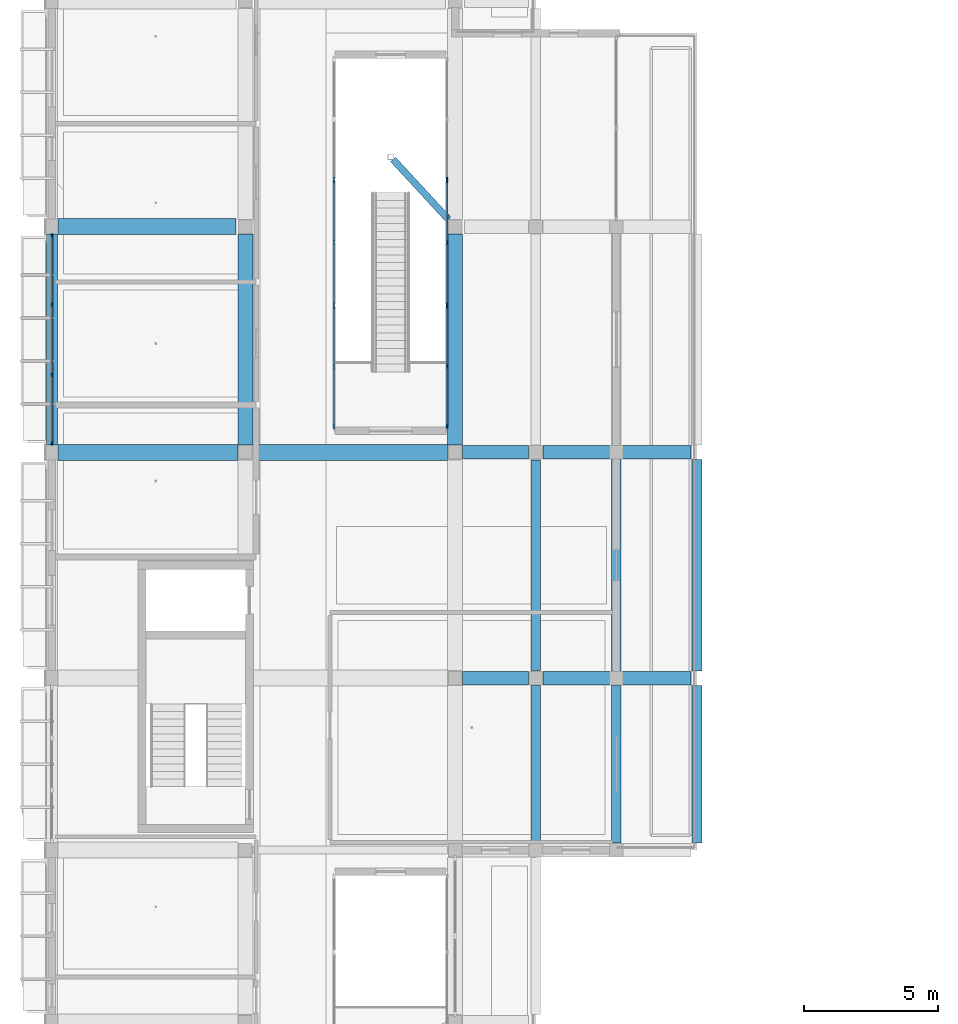
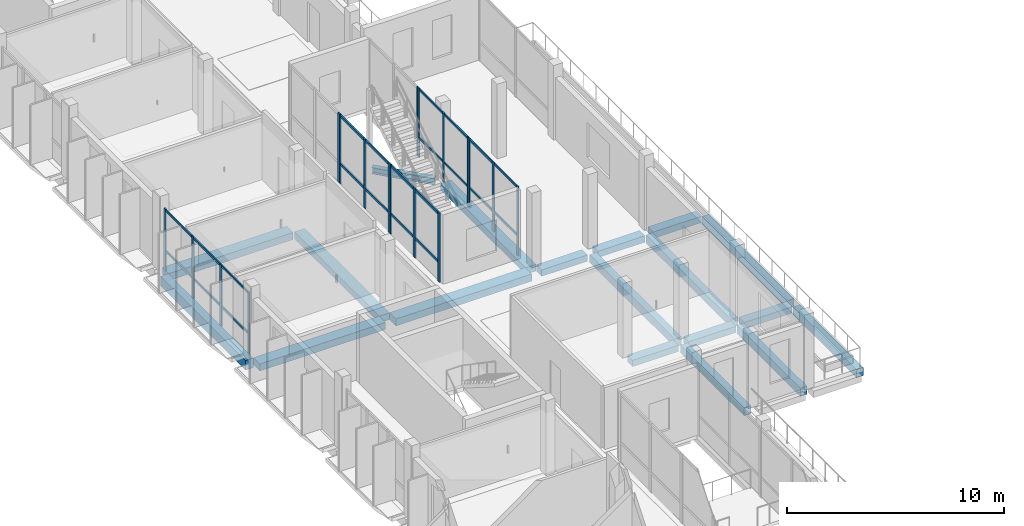
# One storey, part 10 of 85: 28 members, 19 beams, 7 elements without a shape of their own.
"""IFC4 building model written with IfcOpenShell, lengths in metres."""

from ifc_helpers import new_model, si_unit, derived_unit, direction, frame, origin, origin_2d, place, context, subcontext, project, spatial, rectangle, i_section, extrude, material, material_profile, profile_set, type_object, element, aggregate, save


model = new_model("IFC4")

# Units and contexts
model_context = context("Model", 3, precision=1e-05, world=origin(), true_north=direction((0.0, 1.0)))
body_context = subcontext(model_context, "Body", "Model", "MODEL_VIEW")
ifc_project = project(units=[si_unit("LENGTHUNIT", "METRE"), si_unit("AREAUNIT", "SQUARE_METRE"), si_unit("VOLUMEUNIT", "CUBIC_METRE"), si_unit("PLANEANGLEUNIT", "RADIAN"), si_unit("MASSUNIT", "GRAM", prefix="KILO"), derived_unit("THERMALTRANSMITTANCEUNIT", [(si_unit("POWERUNIT", "WATT"), 1), (si_unit("LENGTHUNIT", "METRE"), -2), (si_unit("THERMODYNAMICTEMPERATUREUNIT", "KELVIN"), -1)])], contexts=[model_context])

# Site, building, storey
site_placement = place(None, origin())
site = spatial("IfcSite", under=ifc_project, at=site_placement, CompositionType="ELEMENT")
building_placement = place(site_placement, origin())
building = spatial("IfcBuilding", under=site, at=building_placement, Name="Braskholm Square Health Centre", CompositionType="ELEMENT")
storey_placement = place(building_placement, frame((0.0, 0.0, 9.300048828125)))
storey = spatial("IfcBuildingStorey", under=building, at=storey_placement, Name="L03", CompositionType="ELEMENT", Elevation=9.300048828125)

# Curtain wall, members
ifc_material_1 = material(Name="Low-E triple insulating glass (VLT 0.64)", Category="glass")
curtain_wall_type_1 = type_object("IfcCurtainWallType", Name="UnitisedCurtainWall6200x3650", PredefinedType="NOTDEFINED", material=ifc_material_1)
curtain_wall_1_placement = place(storey_placement, origin())
curtain_wall_1 = element("IfcCurtainWall", 1, at=curtain_wall_1_placement, inside=storey, type_object=curtain_wall_type_1, Name="West Outer unitised curtain wall CW-L03-0018", PredefinedType="NOTDEFINED")
ifc_material_2 = material(Name="Architectural bronze anodised aluminium", Category="aluminium")
ifc_material_profile_1 = material_profile(ifc_material_2, rectangle(XDim=0.06494140625, YDim=0.14990234375, at=origin_2d()), Name="ALU-65X150")
ifc_profile_set_1 = profile_set([ifc_material_profile_1], Name="Architectural bronze anodised aluminium")
member_type_1 = type_object("IfcMemberType", Name="CurtainWallMullion65x150", PredefinedType="MULLION", material=ifc_profile_set_1)
member_1_placement = place(storey_placement, frame((4.199951171875, 71.863037109375, 0.0), z_axis=(0.0, 0.0, 1.0), x_axis=(1.0, 0.0, 0.0)))
member_1 = element("IfcMember", 2, at=member_1_placement, type_object=member_type_1, Name="CW-L03-0018 vertical mullion 1", PredefinedType="MULLION", context=body_context, shape_type="SweptSolid", body=[
    extrude(rectangle(XDim=0.06494140625, YDim=0.14990234375, at=origin_2d()), origin(), (0.0, 0.0, 1.0), 3.47998046875),
])
member_2_placement = place(storey_placement, frame((4.199951171875, 69.30322265625, 0.0), z_axis=(0.0, 0.0, 1.0), x_axis=(1.0, 0.0, 0.0)))
member_2 = element("IfcMember", 3, at=member_2_placement, type_object=member_type_1, Name="CW-L03-0018 vertical mullion 2", PredefinedType="MULLION", context=body_context, shape_type="SweptSolid", body=[
    extrude(rectangle(XDim=0.06494140625, YDim=0.14990234375, at=origin_2d()), origin(), (0.0, 0.0, 1.0), 3.47998046875),
])
member_3_placement = place(storey_placement, frame((4.199951171875, 66.69677734375, 0.0), z_axis=(0.0, 0.0, 1.0), x_axis=(1.0, 0.0, 0.0)))
member_3 = element("IfcMember", 4, at=member_3_placement, type_object=member_type_1, Name="CW-L03-0018 vertical mullion 3", PredefinedType="MULLION", context=body_context, shape_type="SweptSolid", body=[
    extrude(rectangle(XDim=0.06494140625, YDim=0.14990234375, at=origin_2d()), origin(), (0.0, 0.0, 1.0), 3.47998046875),
])
member_4_placement = place(storey_placement, frame((4.199951171875, 64.136962890625, 0.0), z_axis=(0.0, 0.0, 1.0), x_axis=(1.0, 0.0, 0.0)))
member_4 = element("IfcMember", 5, at=member_4_placement, type_object=member_type_1, Name="CW-L03-0018 vertical mullion 4", PredefinedType="MULLION", context=body_context, shape_type="SweptSolid", body=[
    extrude(rectangle(XDim=0.06494140625, YDim=0.14990234375, at=origin_2d()), origin(), (0.0, 0.0, 1.0), 3.47998046875),
])

curtain_wall_type_2 = type_object("IfcCurtainWallType", Name="UnitisedCurtainWall4800x3800", PredefinedType="NOTDEFINED", material=ifc_material_1)
curtain_wall_2_placement = place(storey_placement, origin())
curtain_wall_2 = element("IfcCurtainWall", 6, at=curtain_wall_2_placement, inside=storey, type_object=curtain_wall_type_2, Name="WC2 Court E unitised curtain wall CW-L03-0298", PredefinedType="NOTDEFINED")
member_5_placement = place(storey_placement, frame((18.89990234375, 69.23486328125, 0.0), z_axis=(0.0, 0.0, 1.0), x_axis=(1.0, 0.0, 0.0)))
member_5 = element("IfcMember", 7, at=member_5_placement, type_object=member_type_1, Name="CW-L03-0298 vertical mullion 1", PredefinedType="MULLION", context=body_context, shape_type="SweptSolid", body=[
    extrude(rectangle(XDim=0.06494140625, YDim=0.14990234375, at=origin_2d()), origin(), (0.0, 0.0, 1.0), 3.89990234375),
])
member_6_placement = place(storey_placement, frame((18.89990234375, 67.0009765625, 0.0), z_axis=(0.0, 0.0, 1.0), x_axis=(1.0, 0.0, 0.0)))
member_6 = element("IfcMember", 8, at=member_6_placement, type_object=member_type_1, Name="CW-L03-0298 vertical mullion 2", PredefinedType="MULLION", context=body_context, shape_type="SweptSolid", body=[
    extrude(rectangle(XDim=0.06494140625, YDim=0.14990234375, at=origin_2d()), origin(), (0.0, 0.0, 1.0), 3.89990234375),
])
member_7_placement = place(storey_placement, frame((18.89990234375, 64.76708984375, 0.0), z_axis=(0.0, 0.0, 1.0), x_axis=(1.0, 0.0, 0.0)))
member_7 = element("IfcMember", 9, at=member_7_placement, type_object=member_type_1, Name="CW-L03-0298 vertical mullion 3", PredefinedType="MULLION", context=body_context, shape_type="SweptSolid", body=[
    extrude(rectangle(XDim=0.06494140625, YDim=0.14990234375, at=origin_2d()), origin(), (0.0, 0.0, 1.0), 3.89990234375),
])

curtain_wall_3_placement = place(storey_placement, origin())
curtain_wall_3 = element("IfcCurtainWall", 10, at=curtain_wall_3_placement, inside=storey, type_object=curtain_wall_type_2, Name="WC2 Court E unitised curtain wall CW-L03-0300", PredefinedType="NOTDEFINED")
member_8_placement = place(storey_placement, frame((18.89990234375, 73.900146484375, 0.0), z_axis=(0.0, 0.0, 1.0), x_axis=(1.0, 0.0, 0.0)))
member_8 = element("IfcMember", 11, at=member_8_placement, type_object=member_type_1, Name="CW-L03-0300 vertical mullion 1", PredefinedType="MULLION", context=body_context, shape_type="SweptSolid", body=[
    extrude(rectangle(XDim=0.06494140625, YDim=0.14990234375, at=origin_2d()), origin(), (0.0, 0.0, 1.0), 3.89990234375),
])
member_9_placement = place(storey_placement, frame((18.89990234375, 71.60009765625, 0.0), z_axis=(0.0, 0.0, 1.0), x_axis=(1.0, 0.0, 0.0)))
member_9 = element("IfcMember", 12, at=member_9_placement, type_object=member_type_1, Name="CW-L03-0300 vertical mullion 2", PredefinedType="MULLION", context=body_context, shape_type="SweptSolid", body=[
    extrude(rectangle(XDim=0.06494140625, YDim=0.14990234375, at=origin_2d()), origin(), (0.0, 0.0, 1.0), 3.89990234375),
])
member_10_placement = place(storey_placement, frame((18.89990234375, 69.2998046875, 0.0), z_axis=(0.0, 0.0, 1.0), x_axis=(1.0, 0.0, 0.0)))
member_10 = element("IfcMember", 13, at=member_10_placement, type_object=member_type_1, Name="CW-L03-0300 vertical mullion 3", PredefinedType="MULLION", context=body_context, shape_type="SweptSolid", body=[
    extrude(rectangle(XDim=0.06494140625, YDim=0.14990234375, at=origin_2d()), origin(), (0.0, 0.0, 1.0), 3.89990234375),
])

# Curtain wall, member
curtain_wall_4_placement = place(storey_placement, origin())
curtain_wall_4 = element("IfcCurtainWall", 14, at=curtain_wall_4_placement, inside=storey, type_object=curtain_wall_type_2, Name="WC2 Court E unitised curtain wall CW-L03-0302", PredefinedType="NOTDEFINED")
member_11_placement = place(storey_placement, frame((18.89990234375, 73.965087890625, 0.0), z_axis=(0.0, 0.0, 1.0), x_axis=(1.0, 0.0, 0.0)))
member_11 = element("IfcMember", 15, at=member_11_placement, type_object=member_type_1, Name="CW-L03-0302 vertical mullion 3", PredefinedType="MULLION", context=body_context, shape_type="SweptSolid", body=[
    extrude(rectangle(XDim=0.06494140625, YDim=0.14990234375, at=origin_2d()), origin(), (0.0, 0.0, 1.0), 3.89990234375),
])
aggregate(curtain_wall_4, [member_11])

# Curtain wall, members
curtain_wall_5_placement = place(storey_placement, origin())
curtain_wall_5 = element("IfcCurtainWall", 16, at=curtain_wall_5_placement, inside=storey, type_object=curtain_wall_type_2, Name="WC2 Court W unitised curtain wall CW-L03-0297", PredefinedType="NOTDEFINED")
ifc_material_profile_2 = material_profile(ifc_material_2, rectangle(XDim=0.074951171875, YDim=0.179931640625, at=origin_2d()), Name="ALU-75X180")
ifc_profile_set_2 = profile_set([ifc_material_profile_2], Name="Architectural bronze anodised aluminium")
member_type_2 = type_object("IfcMemberType", Name="CurtainWallMullion75x180", PredefinedType="MULLION", material=ifc_profile_set_2)
member_12_placement = place(storey_placement, frame((14.699951171875, 64.76708984375, 0.0), z_axis=(0.0, 0.0, 1.0), x_axis=(1.0, 0.0, 0.0)))
member_12 = element("IfcMember", 17, at=member_12_placement, type_object=member_type_2, Name="CW-L03-0297 vertical mullion 1", PredefinedType="MULLION", context=body_context, shape_type="SweptSolid", body=[
    extrude(rectangle(XDim=0.074951171875, YDim=0.179931640625, at=origin_2d()), origin(), (0.0, 0.0, 1.0), 3.89990234375),
])
member_13_placement = place(storey_placement, frame((14.699951171875, 67.0009765625, 0.0), z_axis=(0.0, 0.0, 1.0), x_axis=(1.0, 0.0, 0.0)))
member_13 = element("IfcMember", 18, at=member_13_placement, type_object=member_type_2, Name="CW-L03-0297 vertical mullion 2", PredefinedType="MULLION", context=body_context, shape_type="SweptSolid", body=[
    extrude(rectangle(XDim=0.074951171875, YDim=0.179931640625, at=origin_2d()), origin(), (0.0, 0.0, 1.0), 3.89990234375),
])
member_14_placement = place(storey_placement, frame((14.699951171875, 69.23486328125, 0.0), z_axis=(0.0, 0.0, 1.0), x_axis=(1.0, 0.0, 0.0)))
member_14 = element("IfcMember", 19, at=member_14_placement, type_object=member_type_2, Name="CW-L03-0297 vertical mullion 3", PredefinedType="MULLION", context=body_context, shape_type="SweptSolid", body=[
    extrude(rectangle(XDim=0.074951171875, YDim=0.179931640625, at=origin_2d()), origin(), (0.0, 0.0, 1.0), 3.89990234375),
])

curtain_wall_6_placement = place(storey_placement, origin())
curtain_wall_6 = element("IfcCurtainWall", 20, at=curtain_wall_6_placement, inside=storey, type_object=curtain_wall_type_2, Name="WC2 Court W unitised curtain wall CW-L03-0299", PredefinedType="NOTDEFINED")
member_15_placement = place(storey_placement, frame((14.699951171875, 69.2998046875, 0.0), z_axis=(0.0, 0.0, 1.0), x_axis=(1.0, 0.0, 0.0)))
member_15 = element("IfcMember", 21, at=member_15_placement, type_object=member_type_2, Name="CW-L03-0299 vertical mullion 1", PredefinedType="MULLION", context=body_context, shape_type="SweptSolid", body=[
    extrude(rectangle(XDim=0.074951171875, YDim=0.179931640625, at=origin_2d()), origin(), (0.0, 0.0, 1.0), 3.89990234375),
])
member_16_placement = place(storey_placement, frame((14.699951171875, 71.60009765625, 0.0), z_axis=(0.0, 0.0, 1.0), x_axis=(1.0, 0.0, 0.0)))
member_16 = element("IfcMember", 22, at=member_16_placement, type_object=member_type_2, Name="CW-L03-0299 vertical mullion 2", PredefinedType="MULLION", context=body_context, shape_type="SweptSolid", body=[
    extrude(rectangle(XDim=0.074951171875, YDim=0.179931640625, at=origin_2d()), origin(), (0.0, 0.0, 1.0), 3.89990234375),
])
member_17_placement = place(storey_placement, frame((14.699951171875, 73.900146484375, 0.0), z_axis=(0.0, 0.0, 1.0), x_axis=(1.0, 0.0, 0.0)))
member_17 = element("IfcMember", 23, at=member_17_placement, type_object=member_type_2, Name="CW-L03-0299 vertical mullion 3", PredefinedType="MULLION", context=body_context, shape_type="SweptSolid", body=[
    extrude(rectangle(XDim=0.074951171875, YDim=0.179931640625, at=origin_2d()), origin(), (0.0, 0.0, 1.0), 3.89990234375),
])

# Curtain wall, member
curtain_wall_7_placement = place(storey_placement, origin())
curtain_wall_7 = element("IfcCurtainWall", 24, at=curtain_wall_7_placement, inside=storey, type_object=curtain_wall_type_2, Name="WC2 Court W unitised curtain wall CW-L03-0301", PredefinedType="NOTDEFINED")
member_18_placement = place(storey_placement, frame((14.699951171875, 73.965087890625, 0.0), z_axis=(0.0, 0.0, 1.0), x_axis=(1.0, 0.0, 0.0)))
member_18 = element("IfcMember", 25, at=member_18_placement, type_object=member_type_2, Name="CW-L03-0301 vertical mullion 1", PredefinedType="MULLION", context=body_context, shape_type="SweptSolid", body=[
    extrude(rectangle(XDim=0.074951171875, YDim=0.179931640625, at=origin_2d()), origin(), (0.0, 0.0, 1.0), 3.89990234375),
])
aggregate(curtain_wall_7, [member_18])

# Member
ifc_material_profile_3 = material_profile(ifc_material_2, rectangle(XDim=0.06494140625, YDim=0.1201171875, at=origin_2d()), Name="ALU-65X120")
ifc_profile_set_3 = profile_set([ifc_material_profile_3], Name="Architectural bronze anodised aluminium")
member_type_3 = type_object("IfcMemberType", Name="CurtainWallTransom65x120", PredefinedType="USERDEFINED", material=ifc_profile_set_3)
member_19_placement = place(storey_placement, frame((4.199951171875, 71.864990234375, 1.119873046875), z_axis=(0.0, -1.0, 0.0), x_axis=(1.0, 0.0, 0.0)))
member_19 = element("IfcMember", 26, at=member_19_placement, type_object=member_type_3, Name="CW-L03-0018 horizontal transom 1", ObjectType="TRANSOM", PredefinedType="USERDEFINED", context=body_context, shape_type="SweptSolid", body=[
    extrude(rectangle(XDim=0.06494140625, YDim=0.1201171875, at=origin_2d()), origin(), (0.0, 0.0, 1.0), 7.72998046875),
])

member_20_placement = place(storey_placement, frame((4.199951171875, 71.864990234375, 3.409912109375), z_axis=(0.0, -1.0, 0.0), x_axis=(1.0, 0.0, 0.0)))
member_20 = element("IfcMember", 27, at=member_20_placement, type_object=member_type_3, Name="CW-L03-0018 horizontal transom 2", ObjectType="TRANSOM", PredefinedType="USERDEFINED", context=body_context, shape_type="SweptSolid", body=[
    extrude(rectangle(XDim=0.06494140625, YDim=0.1201171875, at=origin_2d()), origin(), (0.0, 0.0, 1.0), 7.72998046875),
])

aggregate(curtain_wall_1, [member_1, member_2, member_3, member_4, member_19, member_20])

member_21_placement = place(storey_placement, frame((18.89990234375, 69.217041015625, 1.119873046875), z_axis=(0.0, -1.0, 0.0), x_axis=(1.0, 0.0, 0.0)))
member_21 = element("IfcMember", 28, at=member_21_placement, type_object=member_type_3, Name="CW-L03-0298 horizontal transom 1", ObjectType="TRANSOM", PredefinedType="USERDEFINED", context=body_context, shape_type="SweptSolid", body=[
    extrude(rectangle(XDim=0.06494140625, YDim=0.1201171875, at=origin_2d()), origin(), (0.0, 0.0, 1.0), 4.43212890625),
])

member_22_placement = place(storey_placement, frame((18.89990234375, 69.217041015625, 3.829833984375), z_axis=(0.0, -1.0, 0.0), x_axis=(1.0, 0.0, 0.0)))
member_22 = element("IfcMember", 29, at=member_22_placement, type_object=member_type_3, Name="CW-L03-0298 horizontal transom 2", ObjectType="TRANSOM", PredefinedType="USERDEFINED", context=body_context, shape_type="SweptSolid", body=[
    extrude(rectangle(XDim=0.06494140625, YDim=0.1201171875, at=origin_2d()), origin(), (0.0, 0.0, 1.0), 4.43212890625),
])

aggregate(curtain_wall_2, [member_5, member_6, member_7, member_21, member_22])

member_23_placement = place(storey_placement, frame((18.89990234375, 73.883056640625, 1.119873046875), z_axis=(0.0, -1.0, 0.0), x_axis=(1.0, 0.0, 0.0)))
member_23 = element("IfcMember", 30, at=member_23_placement, type_object=member_type_3, Name="CW-L03-0300 horizontal transom 1", ObjectType="TRANSOM", PredefinedType="USERDEFINED", context=body_context, shape_type="SweptSolid", body=[
    extrude(rectangle(XDim=0.06494140625, YDim=0.1201171875, at=origin_2d()), origin(), (0.0, 0.0, 1.0), 4.566162109375),
])

member_24_placement = place(storey_placement, frame((18.89990234375, 73.883056640625, 3.829833984375), z_axis=(0.0, -1.0, 0.0), x_axis=(1.0, 0.0, 0.0)))
member_24 = element("IfcMember", 31, at=member_24_placement, type_object=member_type_3, Name="CW-L03-0300 horizontal transom 2", ObjectType="TRANSOM", PredefinedType="USERDEFINED", context=body_context, shape_type="SweptSolid", body=[
    extrude(rectangle(XDim=0.06494140625, YDim=0.1201171875, at=origin_2d()), origin(), (0.0, 0.0, 1.0), 4.566162109375),
])

aggregate(curtain_wall_3, [member_8, member_9, member_10, member_23, member_24])

ifc_material_profile_4 = material_profile(ifc_material_2, rectangle(XDim=0.074951171875, YDim=0.139892578125, at=origin_2d()), Name="ALU-75X140")
ifc_profile_set_4 = profile_set([ifc_material_profile_4], Name="Architectural bronze anodised aluminium")
member_type_4 = type_object("IfcMemberType", Name="CurtainWallTransom75x140", PredefinedType="USERDEFINED", material=ifc_profile_set_4)
member_25_placement = place(storey_placement, frame((14.699951171875, 64.784912109375, 1.119873046875), z_axis=(0.0, 1.0, 0.0), x_axis=(-1.0, 0.0, 0.0)))
member_25 = element("IfcMember", 32, at=member_25_placement, type_object=member_type_4, Name="CW-L03-0297 horizontal transom 1", ObjectType="TRANSOM", PredefinedType="USERDEFINED", context=body_context, shape_type="SweptSolid", body=[
    extrude(rectangle(XDim=0.074951171875, YDim=0.139892578125, at=origin_2d()), origin(), (0.0, 0.0, 1.0), 4.43212890625),
])

member_26_placement = place(storey_placement, frame((14.699951171875, 64.784912109375, 3.829833984375), z_axis=(0.0, 1.0, 0.0), x_axis=(-1.0, 0.0, 0.0)))
member_26 = element("IfcMember", 33, at=member_26_placement, type_object=member_type_4, Name="CW-L03-0297 horizontal transom 2", ObjectType="TRANSOM", PredefinedType="USERDEFINED", context=body_context, shape_type="SweptSolid", body=[
    extrude(rectangle(XDim=0.074951171875, YDim=0.139892578125, at=origin_2d()), origin(), (0.0, 0.0, 1.0), 4.43212890625),
])

aggregate(curtain_wall_5, [member_12, member_13, member_14, member_25, member_26])

member_27_placement = place(storey_placement, frame((14.699951171875, 69.31689453125, 1.119873046875), z_axis=(0.0, 1.0, 0.0), x_axis=(-1.0, 0.0, 0.0)))
member_27 = element("IfcMember", 34, at=member_27_placement, type_object=member_type_4, Name="CW-L03-0299 horizontal transom 1", ObjectType="TRANSOM", PredefinedType="USERDEFINED", context=body_context, shape_type="SweptSolid", body=[
    extrude(rectangle(XDim=0.074951171875, YDim=0.139892578125, at=origin_2d()), origin(), (0.0, 0.0, 1.0), 4.566162109375),
])

member_28_placement = place(storey_placement, frame((14.699951171875, 69.31689453125, 3.829833984375), z_axis=(0.0, 1.0, 0.0), x_axis=(-1.0, 0.0, 0.0)))
member_28 = element("IfcMember", 35, at=member_28_placement, type_object=member_type_4, Name="CW-L03-0299 horizontal transom 2", ObjectType="TRANSOM", PredefinedType="USERDEFINED", context=body_context, shape_type="SweptSolid", body=[
    extrude(rectangle(XDim=0.074951171875, YDim=0.139892578125, at=origin_2d()), origin(), (0.0, 0.0, 1.0), 4.566162109375),
])

aggregate(curtain_wall_6, [member_15, member_16, member_17, member_27, member_28])

# Beams
ifc_material_3 = material(Name="Concrete C35/45 (f'c = 35 MPa)", Category="concrete")
ifc_material_profile_5 = material_profile(ifc_material_3, rectangle(XDim=0.5, YDim=0.360107421875, at=origin_2d()), Name="RCB-500X360")
ifc_profile_set_5 = profile_set([ifc_material_profile_5], Name="Concrete C35/45 (f'c = 35 MPa)")
beam_type_1 = type_object("IfcBeamType", Name="PrimaryBandBeam500x360", PredefinedType="BEAM", material=ifc_profile_set_5)
beam_1_placement = place(storey_placement, frame((19.47509765625, 55.39990234375, -0.47998046875), z_axis=(1.0, 0.0, 0.0), x_axis=(0.0, 1.0, 0.0)))
element("IfcBeam", 36, at=beam_1_placement, inside=storey, type_object=beam_type_1, Name="Beam 3-4/J L03", PredefinedType="BEAM", context=body_context, shape_type="SweptSolid", body=[
    extrude(rectangle(XDim=0.5, YDim=0.360107421875, at=origin_2d()), origin(), (0.0, 0.0, 1.0), 2.449951171875),
])
beam_2_placement = place(storey_placement, frame((22.47509765625, 55.39990234375, -0.47998046875), z_axis=(1.0, 0.0, 0.0), x_axis=(0.0, 1.0, 0.0)))
element("IfcBeam", 37, at=beam_2_placement, inside=storey, type_object=beam_type_1, Name="Beam 4-5/J L03", PredefinedType="BEAM", context=body_context, shape_type="SweptSolid", body=[
    extrude(rectangle(XDim=0.5, YDim=0.360107421875, at=origin_2d()), origin(), (0.0, 0.0, 1.0), 2.5048828125),
])
beam_3_placement = place(storey_placement, frame((25.419921875, 55.39990234375, -0.429931640625), z_axis=(1.0, 0.0, 0.0), x_axis=(0.0, 1.0, 0.0)))
element("IfcBeam", 38, at=beam_3_placement, inside=storey, type_object=beam_type_1, Name="Beam 5-6/J L03", PredefinedType="BEAM", context=body_context, shape_type="SweptSolid", body=[
    extrude(rectangle(XDim=0.5, YDim=0.360107421875, at=origin_2d()), origin(), (0.0, 0.0, 1.0), 2.56005859375),
])
beam_4_placement = place(storey_placement, frame((19.47509765625, 63.800048828125, -0.47998046875), z_axis=(1.0, 0.0, 0.0), x_axis=(0.0, 1.0, 0.0)))
element("IfcBeam", 39, at=beam_4_placement, inside=storey, type_object=beam_type_1, Name="Beam 3-4/K L03", PredefinedType="BEAM", context=body_context, shape_type="SweptSolid", body=[
    extrude(rectangle(XDim=0.5, YDim=0.360107421875, at=origin_2d()), origin(), (0.0, 0.0, 1.0), 2.449951171875),
])
beam_5_placement = place(storey_placement, frame((22.47509765625, 63.800048828125, -0.47998046875), z_axis=(1.0, 0.0, 0.0), x_axis=(0.0, 1.0, 0.0)))
element("IfcBeam", 40, at=beam_5_placement, inside=storey, type_object=beam_type_1, Name="Beam 4-5/K L03", PredefinedType="BEAM", context=body_context, shape_type="SweptSolid", body=[
    extrude(rectangle(XDim=0.5, YDim=0.360107421875, at=origin_2d()), origin(), (0.0, 0.0, 1.0), 2.5048828125),
])
beam_6_placement = place(storey_placement, frame((25.419921875, 63.800048828125, -0.429931640625), z_axis=(1.0, 0.0, 0.0), x_axis=(0.0, 1.0, 0.0)))
element("IfcBeam", 41, at=beam_6_placement, inside=storey, type_object=beam_type_1, Name="Beam 5-6/K L03", PredefinedType="BEAM", context=body_context, shape_type="SweptSolid", body=[
    extrude(rectangle(XDim=0.5, YDim=0.360107421875, at=origin_2d()), origin(), (0.0, 0.0, 1.0), 2.56005859375),
])
ifc_material_profile_6 = material_profile(ifc_material_3, rectangle(XDim=0.550048828125, YDim=0.3798828125, at=origin_2d()), Name="RCB-550X380")
ifc_profile_set_6 = profile_set([ifc_material_profile_6], Name="Concrete C35/45 (f'c = 35 MPa)")
beam_type_2 = type_object("IfcBeamType", Name="PrimaryBandBeam550x380", PredefinedType="BEAM", material=ifc_profile_set_6)
for number, where, z_axis, x_axis, name in (
    (42, (11.39990234375, 64.074951171875, -0.489990234375), (0.0, 1.0, 0.0), (-1.0, 0.0, 0.0), "Beam 2/K-L L03"),
    (43, (19.199951171875, 64.074951171875, -0.489990234375), (0.0, 1.0, 0.0), (-1.0, 0.0, 0.0), "Beam 3/K-L L03"),
):
    element("IfcBeam", number, at=place(storey_placement, frame(where, z_axis=z_axis, x_axis=x_axis)), inside=storey, type_object=beam_type_2, Name=name, PredefinedType="BEAM", context=body_context, shape_type="SweptSolid", body=[
        extrude(rectangle(XDim=0.550048828125, YDim=0.3798828125, at=origin_2d()), origin(), (0.0, 0.0, 1.0), 7.85009765625),
    ])
ifc_material_profile_7 = material_profile(ifc_material_3, rectangle(XDim=0.60009765625, YDim=0.39990234375, at=origin_2d()), Name="RCB-600X400")
ifc_profile_set_7 = profile_set([ifc_material_profile_7], Name="Concrete C35/45 (f'c = 35 MPa)")
beam_type_3 = type_object("IfcBeamType", Name="PrimaryBandBeam600x400", PredefinedType="BEAM", material=ifc_profile_set_7)
beam_7_placement = place(storey_placement, frame((4.429931640625, 63.800048828125, -0.5), z_axis=(1.0, 0.0, 0.0), x_axis=(0.0, 1.0, 0.0)))
element("IfcBeam", 44, at=beam_7_placement, inside=storey, type_object=beam_type_3, Name="Beam 1-2/K L03", PredefinedType="BEAM", context=body_context, shape_type="SweptSolid", body=[
    extrude(rectangle(XDim=0.60009765625, YDim=0.39990234375, at=origin_2d()), origin(), (0.0, 0.0, 1.0), 6.695068359375),
])
beam_8_placement = place(storey_placement, frame((11.675048828125, 63.800048828125, -0.5), z_axis=(1.0, 0.0, 0.0), x_axis=(0.0, 1.0, 0.0)))
element("IfcBeam", 45, at=beam_8_placement, inside=storey, type_object=beam_type_3, Name="Beam 2-3/K L03", PredefinedType="BEAM", context=body_context, shape_type="SweptSolid", body=[
    extrude(rectangle(XDim=0.60009765625, YDim=0.39990234375, at=origin_2d()), origin(), (0.0, 0.0, 1.0), 7.25),
])
beam_9_placement = place(storey_placement, frame((4.429931640625, 72.199951171875, -0.5), z_axis=(1.0, 0.0, 0.0), x_axis=(0.0, 1.0, 0.0)))
element("IfcBeam", 46, at=beam_9_placement, inside=storey, type_object=beam_type_3, Name="Beam 1-2/L L03", PredefinedType="BEAM", context=body_context, shape_type="SweptSolid", body=[
    extrude(rectangle(XDim=0.60009765625, YDim=0.39990234375, at=origin_2d()), origin(), (0.0, 0.0, 1.0), 6.6201171875),
])
ifc_material_4 = material(Name="Precast concrete C40/50 architectural white", Category="concrete")
ifc_material_profile_8 = material_profile(ifc_material_4, rectangle(XDim=0.419921875, YDim=0.550048828125, at=origin_2d()), Name="RCB-420X550")
ifc_profile_set_8 = profile_set([ifc_material_profile_8], Name="Precast concrete C40/50 architectural white")
beam_type_4 = type_object("IfcBeamType", Name="SpandrelPrecastLedge420x550", PredefinedType="SPANDREL", material=ifc_profile_set_8)
beam_10_placement = place(storey_placement, frame((4.199951171875, 64.080078125, -0.574951171875), z_axis=(0.0, 1.0, 0.0), x_axis=(-1.0, 0.0, 0.0)))
element("IfcBeam", 47, at=beam_10_placement, inside=storey, type_object=beam_type_4, Name="Beam 1/K-L L03", PredefinedType="SPANDREL", context=body_context, shape_type="SweptSolid", body=[
    extrude(rectangle(XDim=0.419921875, YDim=0.550048828125, at=origin_2d()), origin(), (0.0, 0.0, 1.0), 7.83984375),
])
ifc_material_profile_9 = material_profile(ifc_material_4, rectangle(XDim=0.360107421875, YDim=0.4599609375, at=origin_2d()), Name="RCB-360X460")
ifc_profile_set_9 = profile_set([ifc_material_profile_9], Name="Precast concrete C40/50 architectural white")
beam_type_5 = type_object("IfcBeamType", Name="SpandrelTerraceEdge360x460", PredefinedType="SPANDREL", material=ifc_profile_set_9)
beam_11_placement = place(storey_placement, frame((22.199951171875, 49.27490234375, -0.530029296875), z_axis=(0.0, 1.0, 0.0), x_axis=(-1.0, 0.0, 0.0)))
element("IfcBeam", 48, at=beam_11_placement, inside=storey, type_object=beam_type_5, Name="Beam 4/H-J L03", PredefinedType="SPANDREL", context=body_context, shape_type="SweptSolid", body=[
    extrude(rectangle(XDim=0.360107421875, YDim=0.4599609375, at=origin_2d()), origin(), (0.0, 0.0, 1.0), 5.85009765625),
])
beam_12_placement = place(storey_placement, frame((22.199951171875, 55.675048828125, -0.530029296875), z_axis=(0.0, 1.0, 0.0), x_axis=(-1.0, 0.0, 0.0)))
element("IfcBeam", 49, at=beam_12_placement, inside=storey, type_object=beam_type_5, Name="Beam 4/J-K L03", PredefinedType="SPANDREL", context=body_context, shape_type="SweptSolid", body=[
    extrude(rectangle(XDim=0.360107421875, YDim=0.4599609375, at=origin_2d()), origin(), (0.0, 0.0, 1.0), 7.849853515625),
])
beam_13_placement = place(storey_placement, frame((25.199951171875, 49.27001953125, -0.47998046875), z_axis=(0.0, 1.0, 0.0), x_axis=(-1.0, 0.0, 0.0)))
element("IfcBeam", 50, at=beam_13_placement, inside=storey, type_object=beam_type_5, Name="Beam 5/H-J L03", PredefinedType="SPANDREL", context=body_context, shape_type="SweptSolid", body=[
    extrude(rectangle(XDim=0.360107421875, YDim=0.4599609375, at=origin_2d()), origin(), (0.0, 0.0, 1.0), 5.85986328125),
])
beam_14_placement = place(storey_placement, frame((25.199951171875, 55.669921875, -0.47998046875), z_axis=(0.0, 1.0, 0.0), x_axis=(-1.0, 0.0, 0.0)))
element("IfcBeam", 51, at=beam_14_placement, inside=storey, type_object=beam_type_5, Name="Beam 5/J-K L03", PredefinedType="SPANDREL", context=body_context, shape_type="SweptSolid", body=[
    extrude(rectangle(XDim=0.360107421875, YDim=0.4599609375, at=origin_2d()), origin(), (0.0, 0.0, 1.0), 7.860107421875),
])
beam_15_placement = place(storey_placement, frame((28.199951171875, 49.27001953125, -0.47998046875), z_axis=(0.0, 1.0, 0.0), x_axis=(-1.0, 0.0, 0.0)))
element("IfcBeam", 52, at=beam_15_placement, inside=storey, type_object=beam_type_5, Name="Beam 6/H-J L03", PredefinedType="SPANDREL", context=body_context, shape_type="SweptSolid", body=[
    extrude(rectangle(XDim=0.360107421875, YDim=0.4599609375, at=origin_2d()), origin(), (0.0, 0.0, 1.0), 5.85986328125),
])
beam_16_placement = place(storey_placement, frame((28.199951171875, 55.669921875, -0.47998046875), z_axis=(0.0, 1.0, 0.0), x_axis=(-1.0, 0.0, 0.0)))
element("IfcBeam", 53, at=beam_16_placement, inside=storey, type_object=beam_type_5, Name="Beam 6/J-K L03", PredefinedType="SPANDREL", context=body_context, shape_type="SweptSolid", body=[
    extrude(rectangle(XDim=0.360107421875, YDim=0.4599609375, at=origin_2d()), origin(), (0.0, 0.0, 1.0), 7.860107421875),
])
ifc_material_5 = material(Name="Steel ASTM A992 Grade 50", Category="steel")
ifc_material_profile_10 = material_profile(ifc_material_5, i_section(OverallWidth=0.2548828125, OverallDepth=0.35693359375, WebThickness=0.010498046875, FlangeThickness=0.018310546875, at=origin_2d()), Name="W14X68")
ifc_profile_set_10 = profile_set([ifc_material_profile_10], Name="Steel ASTM A992 Grade 50")
beam_type_6 = type_object("IfcBeamType", Name="SteelBeamCanopyW14X68", PredefinedType="BEAM", material=ifc_profile_set_10)
beam_17_placement = place(storey_placement, frame((16.892333984375, 74.699951171875, -0.478515625), z_axis=(0.678260023689, -0.734821978622, 0.0), x_axis=(0.734821978622, 0.678260023689, 0.0)))
element("IfcBeam", 54, at=beam_17_placement, inside=storey, type_object=beam_type_6, Name="Tie beam CS3E L03", PredefinedType="BEAM", context=body_context, shape_type="SweptSolid", body=[
    extrude(i_section(OverallWidth=0.2548828125, OverallDepth=0.35693359375, WebThickness=0.010498046875, FlangeThickness=0.018310546875, at=origin_2d()), origin(), (0.0, 0.0, 1.0), 3.030029296875),
])

save(model, "model.ifc")
